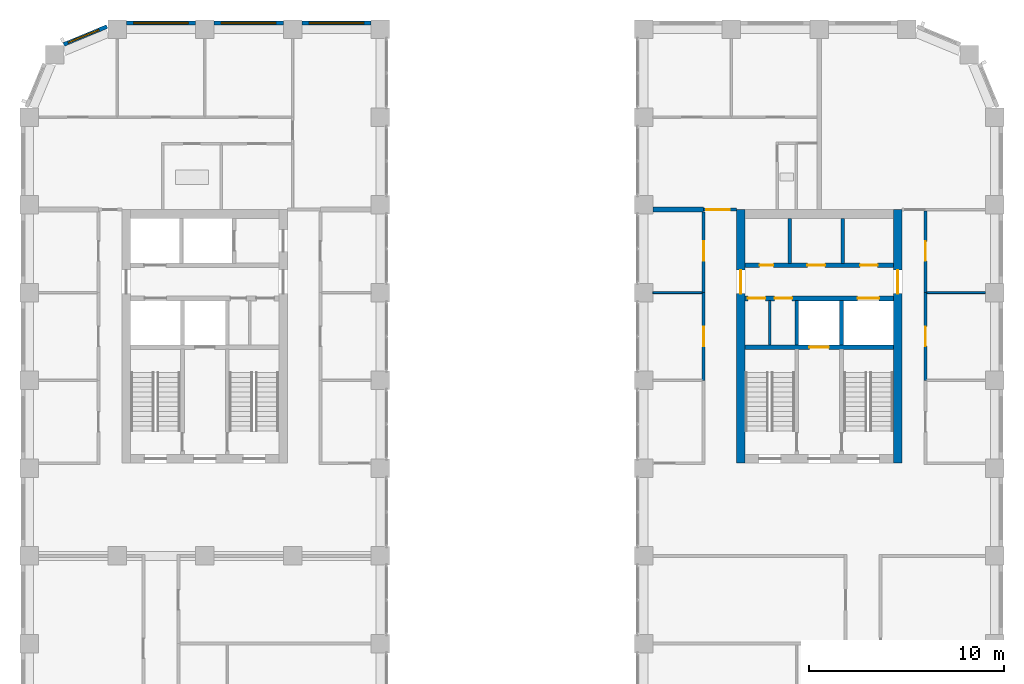
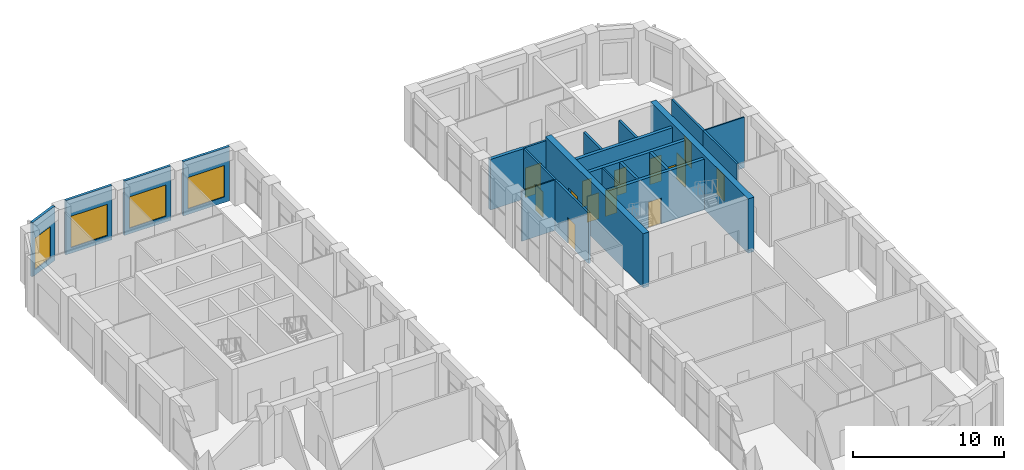
# One storey, part 14 of 19: 22 walls, 14 doors, 4 windows, 18 openings.
"""IFC4 building model written with IfcOpenShell, lengths in metres."""

from ifc_helpers import new_model, si_unit, direction, frame, frame_2d, origin, place, context, subcontext, project, spatial, rectangle, extrude, material, layer, layer_set, type_object, element, fill, save


model = new_model("IFC4")

# Units and contexts
model_context = context("Model", 3, precision=1e-05, world=origin(), true_north=direction((0.0, 1.0)))
body_context = subcontext(model_context, "Body", "Model", "MODEL_VIEW")
ifc_project = project(units=[si_unit("LENGTHUNIT", "METRE"), si_unit("AREAUNIT", "SQUARE_METRE"), si_unit("VOLUMEUNIT", "CUBIC_METRE"), si_unit("PLANEANGLEUNIT", "RADIAN"), si_unit("MASSUNIT", "GRAM", prefix="KILO")], contexts=[model_context])

# Site, building, storey
site_placement = place(None, origin())
site = spatial("IfcSite", under=ifc_project, at=site_placement, CompositionType="ELEMENT")
building_placement = place(site_placement, origin())
building = spatial("IfcBuilding", under=site, at=building_placement, Name="Girih Gate Residences", CompositionType="ELEMENT")
storey_placement = place(building_placement, frame((0.0, 0.0, 163.800048828125)))
storey = spatial("IfcBuildingStorey", under=building, at=storey_placement, Name="L45", CompositionType="ELEMENT", Elevation=163.800048828125)

# Wall
ifc_material_1 = material(Name="Gypsum board on steel studs", Category="steel")
ifc_layer_1 = layer(ifc_material_1, 0.25)
ifc_layer_set_1 = layer_set([ifc_layer_1], Name="Acoustic separating wall 250 mm")
wall_type_1 = type_object("IfcWallType", Name="Acoustic separating wall 250 mm", PredefinedType="PARTITIONING", material=ifc_layer_set_1)
wall_1_placement = place(storey_placement, frame((31.97509765625, 40.25, 0.0), z_axis=(0.0, 0.0, 1.0), x_axis=(1.0, 0.0, 0.0)))
element("IfcWall", 1, at=wall_1_placement, inside=storey, type_object=wall_type_1, Name="L45 partition", PredefinedType="PARTITIONING", context=body_context, shape_type="SweptSolid", body=[
    extrude(rectangle(XDim=2.599853515625, YDim=0.25, at=frame_2d((1.2998046875, 0.0))), origin(), (0.0, 0.0, 1.0), 4.099853515625),
])

# Wall, opening, door
ifc_layer_2 = layer(ifc_material_1, 0.14990234375)
ifc_layer_set_2 = layer_set([ifc_layer_2], Name="Compartment wall 150 mm")
wall_type_2 = type_object("IfcWallType", Name="Compartment wall 150 mm", PredefinedType="PARTITIONING", material=ifc_layer_set_2)
wall_2_placement = place(storey_placement, frame((34.574951171875, 40.25, 0.0), z_axis=(0.0, 0.0, 1.0), x_axis=(1.0, 0.0, 0.0)))
wall_2 = element("IfcWall", 2, at=wall_2_placement, inside=storey, type_object=wall_type_2, Name="L45 partition", PredefinedType="PARTITIONING", context=body_context, shape_type="SweptSolid", body=[
    extrude(rectangle(XDim=1.675048828125, YDim=0.14990234375, at=frame_2d((0.83740234375, 0.0))), origin(), (0.0, 0.0, 1.0), 4.099853515625),
])
opening_1_placement = place(wall_2_placement, frame((0.1298828125, 0.0, 0.0)))
opening_1 = element("IfcOpeningElement", 3, at=opening_1_placement, cuts=wall_2, Name="Opening A45-029", PredefinedType="OPENING", context=body_context, shape_type="SweptSolid", body=[
    extrude(rectangle(XDim=1.199951171875, YDim=2.39990234375, at=frame_2d((0.60009765625, 1.199951171875))), frame((0.0, 0.0849609375, 0.0), z_axis=(0.0, -1.0, 0.0), x_axis=(1.0, 0.0, 0.0)), (0.0, 0.0, 1.0), 0.169921875),
])
ifc_material_2 = material(Name="Timber, fire-rated core", Category="wood")
door_type_1 = type_object("IfcDoorType", Name="Villa entrance door 1200x2400 FD30S", OperationType="NOTDEFINED", PredefinedType="DOOR", material=ifc_material_2)
door_1_placement = place(opening_1_placement, origin())
door_1 = element("IfcDoor", 4, at=door_1_placement, inside=storey, type_object=door_type_1, Name="Door A45-029", OperationType="SINGLE_SWING_LEFT", OverallHeight=2.39990234375, OverallWidth=1.199951171875, PredefinedType="DOOR", context=body_context, shape_type="SweptSolid", body=[
    extrude(rectangle(XDim=1.199951171875, YDim=2.39990234375, at=frame_2d((0.60009765625, 1.199951171875))), frame((0.0, 0.02490234375, 0.0), z_axis=(0.0, -1.0, 0.0), x_axis=(1.0, 0.0, 0.0)), (0.0, 0.0, 1.0), 0.050048828125),
])
fill(opening_1, door_1)

wall_3_placement = place(storey_placement, frame((34.574951171875, 31.5, 0.0), z_axis=(0.0, 0.0, 1.0), x_axis=(0.0, 1.0, 0.0)))
wall_3 = element("IfcWall", 5, at=wall_3_placement, inside=storey, type_object=wall_type_2, Name="L45 partition", PredefinedType="PARTITIONING", context=body_context, shape_type="SweptSolid", body=[
    extrude(rectangle(XDim=4.5, YDim=0.14990234375, at=frame_2d((2.25, 0.0))), origin(), (0.0, 0.0, 1.0), 4.099853515625),
])
opening_2_placement = place(wall_3_placement, frame((1.75, 0.0, 0.0)))
opening_2 = element("IfcOpeningElement", 6, at=opening_2_placement, cuts=wall_3, Name="Opening A45-038", PredefinedType="OPENING", context=body_context, shape_type="SweptSolid", body=[
    extrude(rectangle(XDim=1.0, YDim=2.10009765625, at=frame_2d((0.5, 1.050048828125))), frame((0.0, 0.0849609375, 0.0), z_axis=(0.0, -1.0, 0.0), x_axis=(1.0, 0.0, 0.0)), (0.0, 0.0, 1.0), 0.169921875),
])
door_type_2 = type_object("IfcDoorType", Name="Amenity room door 1000x2100 FD30S", OperationType="NOTDEFINED", PredefinedType="DOOR", material=ifc_material_2)
door_2_placement = place(opening_2_placement, origin())
door_2 = element("IfcDoor", 7, at=door_2_placement, inside=storey, type_object=door_type_2, Name="Door A45-038", OperationType="SINGLE_SWING_RIGHT", OverallHeight=2.10009765625, OverallWidth=1.0, PredefinedType="DOOR", context=body_context, shape_type="SweptSolid", body=[
    extrude(rectangle(XDim=1.0, YDim=2.10009765625, at=frame_2d((0.5, 1.050048828125))), frame((0.0, 0.02490234375, 0.0), z_axis=(0.0, -1.0, 0.0), x_axis=(1.0, 0.0, 0.0)), (0.0, 0.0, 1.0), 0.050048828125),
])
fill(opening_2, door_2)

wall_4_placement = place(storey_placement, frame((34.574951171875, 36.0, 0.0), z_axis=(0.0, 0.0, 1.0), x_axis=(0.0, 1.0, 0.0)))
wall_4 = element("IfcWall", 8, at=wall_4_placement, inside=storey, type_object=wall_type_2, Name="L45 partition", PredefinedType="PARTITIONING", context=body_context, shape_type="SweptSolid", body=[
    extrude(rectangle(XDim=4.125, YDim=0.14990234375, at=frame_2d((2.0625, 0.0))), origin(), (0.0, 0.0, 1.0), 4.099853515625),
])
opening_3_placement = place(wall_4_placement, frame((1.625, 0.0, 0.0)))
opening_3 = element("IfcOpeningElement", 9, at=opening_3_placement, cuts=wall_4, Name="Opening A45-039", PredefinedType="OPENING", context=body_context, shape_type="SweptSolid", body=[
    extrude(rectangle(XDim=1.0, YDim=2.10009765625, at=frame_2d((0.5, 1.050048828125))), frame((0.0, 0.0849609375, 0.0), z_axis=(0.0, -1.0, 0.0), x_axis=(1.0, 0.0, 0.0)), (0.0, 0.0, 1.0), 0.169921875),
])
door_3_placement = place(opening_3_placement, origin())
door_3 = element("IfcDoor", 10, at=door_3_placement, inside=storey, type_object=door_type_2, Name="Door A45-039", OperationType="SINGLE_SWING_RIGHT", OverallHeight=2.10009765625, OverallWidth=1.0, PredefinedType="DOOR", context=body_context, shape_type="SweptSolid", body=[
    extrude(rectangle(XDim=1.0, YDim=2.10009765625, at=frame_2d((0.5, 1.050048828125))), frame((0.0, 0.02490234375, 0.0), z_axis=(0.0, -1.0, 0.0), x_axis=(1.0, 0.0, 0.0)), (0.0, 0.0, 1.0), 0.050048828125),
])
fill(opening_3, door_3)

wall_5_placement = place(storey_placement, frame((45.949951171875, 36.0, 0.0), z_axis=(0.0, 0.0, 1.0), x_axis=(0.0, -1.0, 0.0)))
wall_5 = element("IfcWall", 11, at=wall_5_placement, inside=storey, type_object=wall_type_2, Name="L45 partition", PredefinedType="PARTITIONING", context=body_context, shape_type="SweptSolid", body=[
    extrude(rectangle(XDim=4.5, YDim=0.14990234375, at=frame_2d((2.25, 0.0))), origin(), (0.0, 0.0, 1.0), 4.099853515625),
])
opening_4_placement = place(wall_5_placement, frame((1.75, 0.0, 0.0)))
opening_4 = element("IfcOpeningElement", 12, at=opening_4_placement, cuts=wall_5, Name="Opening A45-041", PredefinedType="OPENING", context=body_context, shape_type="SweptSolid", body=[
    extrude(rectangle(XDim=1.0, YDim=2.10009765625, at=frame_2d((0.5, 1.050048828125))), frame((0.0, 0.0849609375, 0.0), z_axis=(0.0, -1.0, 0.0), x_axis=(1.0, 0.0, 0.0)), (0.0, 0.0, 1.0), 0.169921875),
])
door_4_placement = place(opening_4_placement, origin())
door_4 = element("IfcDoor", 13, at=door_4_placement, inside=storey, type_object=door_type_2, Name="Door A45-041", OperationType="SINGLE_SWING_RIGHT", OverallHeight=2.10009765625, OverallWidth=1.0, PredefinedType="DOOR", context=body_context, shape_type="SweptSolid", body=[
    extrude(rectangle(XDim=1.0, YDim=2.10009765625, at=frame_2d((0.5, 1.050048828125))), frame((0.0, 0.02490234375, 0.0), z_axis=(0.0, -1.0, 0.0), x_axis=(1.0, 0.0, 0.0)), (0.0, 0.0, 1.0), 0.050048828125),
])
fill(opening_4, door_4)

wall_6_placement = place(storey_placement, frame((45.949951171875, 40.175048828125, 0.0), z_axis=(0.0, 0.0, 1.0), x_axis=(0.0, -1.0, 0.0)))
wall_6 = element("IfcWall", 14, at=wall_6_placement, inside=storey, type_object=wall_type_2, Name="L45 partition", PredefinedType="PARTITIONING", context=body_context, shape_type="SweptSolid", body=[
    extrude(rectangle(XDim=4.175048828125, YDim=0.14990234375, at=frame_2d((2.08740234375, 0.0))), origin(), (0.0, 0.0, 1.0), 4.099853515625),
])
opening_5_placement = place(wall_6_placement, frame((1.550048828125, 0.0, 0.0)))
opening_5 = element("IfcOpeningElement", 15, at=opening_5_placement, cuts=wall_6, Name="Opening A45-042", PredefinedType="OPENING", context=body_context, shape_type="SweptSolid", body=[
    extrude(rectangle(XDim=1.0, YDim=2.10009765625, at=frame_2d((0.5, 1.050048828125))), frame((0.0, 0.0849609375, 0.0), z_axis=(0.0, -1.0, 0.0), x_axis=(1.0, 0.0, 0.0)), (0.0, 0.0, 1.0), 0.169921875),
])
door_5_placement = place(opening_5_placement, origin())
door_5 = element("IfcDoor", 16, at=door_5_placement, inside=storey, type_object=door_type_2, Name="Door A45-042", OperationType="SINGLE_SWING_LEFT", OverallHeight=2.10009765625, OverallWidth=1.0, PredefinedType="DOOR", context=body_context, shape_type="SweptSolid", body=[
    extrude(rectangle(XDim=1.0, YDim=2.10009765625, at=frame_2d((0.5, 1.050048828125))), frame((0.0, 0.02490234375, 0.0), z_axis=(0.0, -1.0, 0.0), x_axis=(1.0, 0.0, 0.0)), (0.0, 0.0, 1.0), 0.050048828125),
])
fill(opening_5, door_5)

ifc_material_3 = material(Name="Concrete C60/75", Category="concrete")
ifc_layer_3 = layer(ifc_material_3, 0.449951171875)
ifc_layer_set_3 = layer_set([ifc_layer_3], Name="Core wall RC 450 Concrete C60/75")
wall_type_3 = type_object("IfcWallType", Name="Core wall RC 450 Concrete C60/75", PredefinedType="SOLIDWALL", material=ifc_layer_set_3)
wall_7_placement = place(storey_placement, frame((36.47509765625, 27.25, 0.0), z_axis=(0.0, 0.0, 1.0), x_axis=(0.0, 1.0, 0.0)))
wall_7 = element("IfcWall", 17, at=wall_7_placement, inside=storey, type_object=wall_type_3, Name="Core wall E-W L45", PredefinedType="SOLIDWALL", context=body_context, shape_type="SweptSolid", body=[
    extrude(rectangle(XDim=13.0, YDim=0.449951171875, at=frame_2d((6.5, 0.0))), origin(), (0.0, 0.0, 1.0), 4.39990234375),
])
opening_6_placement = place(wall_7_placement, frame((8.699951171875, 0.0, 0.0)))
opening_6 = element("IfcOpeningElement", 18, at=opening_6_placement, cuts=wall_7, Name="Opening D-L45-E-013", PredefinedType="OPENING", context=body_context, shape_type="SweptSolid", body=[
    extrude(rectangle(XDim=1.199951171875, YDim=2.10009765625, at=frame_2d((0.60009765625, 1.050048828125))), frame((0.0, 0.23486328125, 0.0), z_axis=(0.0, -1.0, 0.0), x_axis=(1.0, 0.0, 0.0)), (0.0, 0.0, 1.0), 0.469970703125),
])
ifc_material_4 = material(Name="Painted steel, fire-resisting", Category="steel")
door_type_3 = type_object("IfcDoorType", Name="Fire door 1200x2100", OperationType="SINGLE_SWING_LEFT", PredefinedType="DOOR", material=ifc_material_4)
door_6_placement = place(opening_6_placement, origin())
door_6 = element("IfcDoor", 19, at=door_6_placement, inside=storey, type_object=door_type_3, Name="L45 E core door ll-w", OperationType="SINGLE_SWING_LEFT", OverallHeight=2.10009765625, OverallWidth=1.199951171875, PredefinedType="DOOR", context=body_context, shape_type="SweptSolid", body=[
    extrude(rectangle(XDim=1.199951171875, YDim=2.10009765625, at=frame_2d((0.60009765625, 1.050048828125))), frame((0.0, 0.02490234375, 0.0), z_axis=(0.0, -1.0, 0.0), x_axis=(1.0, 0.0, 0.0)), (0.0, 0.0, 1.0), 0.050048828125),
])
fill(opening_6, door_6)

wall_8_placement = place(storey_placement, frame((44.52490234375, 27.25, 0.0), z_axis=(0.0, 0.0, 1.0), x_axis=(0.0, 1.0, 0.0)))
wall_8 = element("IfcWall", 20, at=wall_8_placement, inside=storey, type_object=wall_type_3, Name="Core wall E-E L45", PredefinedType="SOLIDWALL", context=body_context, shape_type="SweptSolid", body=[
    extrude(rectangle(XDim=13.0, YDim=0.449951171875, at=frame_2d((6.5, 0.0))), origin(), (0.0, 0.0, 1.0), 4.39990234375),
])
opening_7_placement = place(wall_8_placement, frame((8.699951171875, 0.0, 0.0)))
opening_7 = element("IfcOpeningElement", 21, at=opening_7_placement, cuts=wall_8, Name="Opening D-L45-E-014", PredefinedType="OPENING", context=body_context, shape_type="SweptSolid", body=[
    extrude(rectangle(XDim=1.199951171875, YDim=2.10009765625, at=frame_2d((0.60009765625, 1.050048828125))), frame((0.0, 0.23486328125, 0.0), z_axis=(0.0, -1.0, 0.0), x_axis=(1.0, 0.0, 0.0)), (0.0, 0.0, 1.0), 0.469970703125),
])
door_7_placement = place(opening_7_placement, origin())
door_7 = element("IfcDoor", 22, at=door_7_placement, inside=storey, type_object=door_type_3, Name="L45 E core door ll-e", OperationType="SINGLE_SWING_LEFT", OverallHeight=2.10009765625, OverallWidth=1.199951171875, PredefinedType="DOOR", context=body_context, shape_type="SweptSolid", body=[
    extrude(rectangle(XDim=1.199951171875, YDim=2.10009765625, at=frame_2d((0.60009765625, 1.050048828125))), frame((0.0, 0.02490234375, 0.0), z_axis=(0.0, -1.0, 0.0), x_axis=(1.0, 0.0, 0.0)), (0.0, 0.0, 1.0), 0.050048828125),
])
fill(opening_7, door_7)

ifc_material_5 = material(Name="Concrete C40/50", Category="concrete")
ifc_layer_4 = layer(ifc_material_5, 0.25)
ifc_layer_set_4 = layer_set([ifc_layer_4], Name="Lift shaft wall 250")
wall_type_4 = type_object("IfcWallType", Name="Lift shaft wall 250", PredefinedType="SOLIDWALL", material=ifc_layer_set_4)
wall_9_placement = place(storey_placement, frame((36.699951171875, 33.199951171875, 0.0), z_axis=(0.0, 0.0, 1.0), x_axis=(1.0, 0.0, 0.0)))
wall_9 = element("IfcWall", 23, at=wall_9_placement, inside=storey, type_object=wall_type_4, Name="L45 E core wall H1", PredefinedType="SOLIDWALL", context=body_context, shape_type="SweptSolid", body=[
    extrude(rectangle(XDim=7.60009765625, YDim=0.25, at=frame_2d((3.800048828125, 0.0))), origin(), (0.0, 0.0, 1.0), 4.099853515625),
])
opening_8_placement = place(wall_9_placement, frame((3.300048828125, 0.0, 0.0)))
opening_8 = element("IfcOpeningElement", 24, at=opening_8_placement, cuts=wall_9, Name="Opening D-L45-E-004", PredefinedType="OPENING", context=body_context, shape_type="SweptSolid", body=[
    extrude(rectangle(XDim=1.0, YDim=2.10009765625, at=frame_2d((0.5, 1.050048828125))), frame((0.0, 0.135009765625, 0.0), z_axis=(0.0, -1.0, 0.0), x_axis=(1.0, 0.0, 0.0)), (0.0, 0.0, 1.0), 0.27001953125),
])
ifc_material_6 = material(Name="Stainless steel, fire-resisting", Category="steel")
door_type_4 = type_object("IfcDoorType", Name="Firefighting lift landing door 1000x2100", OperationType="SLIDING_TO_LEFT", PredefinedType="DOOR", material=ifc_material_6)
door_8_placement = place(opening_8_placement, origin())
door_8 = element("IfcDoor", 25, at=door_8_placement, inside=storey, type_object=door_type_4, Name="L45 lift FF-E landing door", OperationType="SLIDING_TO_LEFT", OverallHeight=2.10009765625, OverallWidth=1.0, PredefinedType="DOOR", context=body_context, shape_type="SweptSolid", body=[
    extrude(rectangle(XDim=1.0, YDim=2.10009765625, at=frame_2d((0.5, 1.050048828125))), frame((0.0, 0.02490234375, 0.0), z_axis=(0.0, -1.0, 0.0), x_axis=(1.0, 0.0, 0.0)), (0.0, 0.0, 1.0), 0.050048828125),
])
fill(opening_8, door_8)

# Wall, openings, doors
wall_10_placement = place(storey_placement, frame((36.699951171875, 35.699951171875, 0.0), z_axis=(0.0, 0.0, 1.0), x_axis=(1.0, 0.0, 0.0)))
wall_10 = element("IfcWall", 26, at=wall_10_placement, inside=storey, type_object=wall_type_4, Name="L45 E core wall H2", PredefinedType="SOLIDWALL", context=body_context, shape_type="SweptSolid", body=[
    extrude(rectangle(XDim=7.60009765625, YDim=0.25, at=frame_2d((3.800048828125, 0.0))), origin(), (0.0, 0.0, 1.0), 4.099853515625),
])
opening_9_placement = place(wall_10_placement, frame((5.77490234375, 0.0, 0.0)))
opening_9 = element("IfcOpeningElement", 27, at=opening_9_placement, cuts=wall_10, Name="Opening D-L45-E-003", PredefinedType="OPENING", context=body_context, shape_type="SweptSolid", body=[
    extrude(rectangle(XDim=1.10009765625, YDim=2.39990234375, at=frame_2d((0.550048828125, 1.199951171875))), frame((0.0, 0.135009765625, 0.0), z_axis=(0.0, -1.0, 0.0), x_axis=(1.0, 0.0, 0.0)), (0.0, 0.0, 1.0), 0.27001953125),
])
opening_10_placement = place(wall_10_placement, frame((1.512451171875, 0.0, 0.0)))
opening_10 = element("IfcOpeningElement", 28, at=opening_10_placement, cuts=wall_10, Name="Opening D-L45-E-006", PredefinedType="OPENING", context=body_context, shape_type="SweptSolid", body=[
    extrude(rectangle(XDim=0.89990234375, YDim=2.10009765625, at=frame_2d((0.449951171875, 1.050048828125))), frame((0.0, 0.135009765625, 0.0), z_axis=(0.0, -1.0, 0.0), x_axis=(1.0, 0.0, 0.0)), (0.0, 0.0, 1.0), 0.27001953125),
])
opening_11_placement = place(wall_10_placement, frame((0.137451171875, 0.0, 0.0)))
opening_11 = element("IfcOpeningElement", 29, at=opening_11_placement, cuts=wall_10, Name="Opening D-L45-E-007", PredefinedType="OPENING", context=body_context, shape_type="SweptSolid", body=[
    extrude(rectangle(XDim=0.89990234375, YDim=2.10009765625, at=frame_2d((0.449951171875, 1.050048828125))), frame((0.0, 0.135009765625, 0.0), z_axis=(0.0, -1.0, 0.0), x_axis=(1.0, 0.0, 0.0)), (0.0, 0.0, 1.0), 0.27001953125),
])
door_type_5 = type_object("IfcDoorType", Name="Fire door 900x2100", OperationType="SINGLE_SWING_LEFT", PredefinedType="DOOR", material=ifc_material_4)
door_9_placement = place(opening_10_placement, origin())
door_9 = element("IfcDoor", 30, at=door_9_placement, inside=storey, type_object=door_type_5, Name="L45 E refuse store door", OperationType="SINGLE_SWING_LEFT", OverallHeight=2.10009765625, OverallWidth=0.89990234375, PredefinedType="DOOR", context=body_context, shape_type="SweptSolid", body=[
    extrude(rectangle(XDim=0.89990234375, YDim=2.10009765625, at=frame_2d((0.449951171875, 1.050048828125))), frame((0.0, 0.02490234375, 0.0), z_axis=(0.0, -1.0, 0.0), x_axis=(1.0, 0.0, 0.0)), (0.0, 0.0, 1.0), 0.050048828125),
])
fill(opening_10, door_9)
door_10_placement = place(opening_11_placement, origin())
door_10 = element("IfcDoor", 31, at=door_10_placement, inside=storey, type_object=door_type_5, Name="L45 E cleaners store door", OperationType="SINGLE_SWING_LEFT", OverallHeight=2.10009765625, OverallWidth=0.89990234375, PredefinedType="DOOR", context=body_context, shape_type="SweptSolid", body=[
    extrude(rectangle(XDim=0.89990234375, YDim=2.10009765625, at=frame_2d((0.449951171875, 1.050048828125))), frame((0.0, 0.02490234375, 0.0), z_axis=(0.0, -1.0, 0.0), x_axis=(1.0, 0.0, 0.0)), (0.0, 0.0, 1.0), 0.050048828125),
])
fill(opening_11, door_10)
ifc_material_7 = material(Name="Stainless steel", Category="steel")
door_type_6 = type_object("IfcDoorType", Name="Lift landing door 1100x2400", OperationType="SLIDING_TO_LEFT", PredefinedType="DOOR", material=ifc_material_7)
door_11_placement = place(opening_9_placement, origin())
door_11 = element("IfcDoor", 32, at=door_11_placement, inside=storey, type_object=door_type_6, Name="L45 lift HR-E1 landing door", OperationType="SLIDING_TO_LEFT", OverallHeight=2.39990234375, OverallWidth=1.10009765625, PredefinedType="DOOR", context=body_context, shape_type="SweptSolid", body=[
    extrude(rectangle(XDim=1.10009765625, YDim=2.39990234375, at=frame_2d((0.550048828125, 1.199951171875))), frame((0.0, 0.02490234375, 0.0), z_axis=(0.0, -1.0, 0.0), x_axis=(1.0, 0.0, 0.0)), (0.0, 0.0, 1.0), 0.050048828125),
])
fill(opening_9, door_11)

wall_11_placement = place(storey_placement, frame((36.699951171875, 37.39990234375, 0.0), z_axis=(0.0, 0.0, 1.0), x_axis=(1.0, 0.0, 0.0)))
wall_11 = element("IfcWall", 33, at=wall_11_placement, inside=storey, type_object=wall_type_4, Name="L45 E core wall H3", PredefinedType="SOLIDWALL", context=body_context, shape_type="SweptSolid", body=[
    extrude(rectangle(XDim=7.60009765625, YDim=0.25, at=frame_2d((3.800048828125, 0.0))), origin(), (0.0, 0.0, 1.0), 4.099853515625),
])
opening_12_placement = place(wall_11_placement, frame((0.75, 0.0, 0.0)))
opening_12 = element("IfcOpeningElement", 34, at=opening_12_placement, cuts=wall_11, Name="Opening D-L45-E-005", PredefinedType="OPENING", context=body_context, shape_type="SweptSolid", body=[
    extrude(rectangle(XDim=0.699951171875, YDim=2.10009765625, at=frame_2d((0.35009765625, 1.050048828125))), frame((0.0, 0.135009765625, 0.0), z_axis=(0.0, -1.0, 0.0), x_axis=(1.0, 0.0, 0.0)), (0.0, 0.0, 1.0), 0.27001953125),
])
opening_13_placement = place(wall_11_placement, frame((5.89990234375, 0.0, 0.0)))
opening_13 = element("IfcOpeningElement", 35, at=opening_13_placement, cuts=wall_11, Name="Opening D-L45-E-008", PredefinedType="OPENING", context=body_context, shape_type="SweptSolid", body=[
    extrude(rectangle(XDim=0.89990234375, YDim=2.10009765625, at=frame_2d((0.449951171875, 1.050048828125))), frame((0.0, 0.135009765625, 0.0), z_axis=(0.0, -1.0, 0.0), x_axis=(1.0, 0.0, 0.0)), (0.0, 0.0, 1.0), 0.27001953125),
])
opening_14_placement = place(wall_11_placement, frame((3.199951171875, 0.0, 0.0)))
opening_14 = element("IfcOpeningElement", 36, at=opening_14_placement, cuts=wall_11, Name="Opening D-L45-E-009", PredefinedType="OPENING", context=body_context, shape_type="SweptSolid", body=[
    extrude(rectangle(XDim=0.89990234375, YDim=2.10009765625, at=frame_2d((0.449951171875, 1.050048828125))), frame((0.0, 0.135009765625, 0.0), z_axis=(0.0, -1.0, 0.0), x_axis=(1.0, 0.0, 0.0)), (0.0, 0.0, 1.0), 0.27001953125),
])
door_12_placement = place(opening_13_placement, origin())
door_12 = element("IfcDoor", 37, at=door_12_placement, inside=storey, type_object=door_type_5, Name="L45 E maintenance store door", OperationType="SINGLE_SWING_LEFT", OverallHeight=2.10009765625, OverallWidth=0.89990234375, PredefinedType="DOOR", context=body_context, shape_type="SweptSolid", body=[
    extrude(rectangle(XDim=0.89990234375, YDim=2.10009765625, at=frame_2d((0.449951171875, 1.050048828125))), frame((0.0, 0.02490234375, 0.0), z_axis=(0.0, -1.0, 0.0), x_axis=(1.0, 0.0, 0.0)), (0.0, 0.0, 1.0), 0.050048828125),
])
fill(opening_13, door_12)
door_13_placement = place(opening_14_placement, origin())
door_13 = element("IfcDoor", 38, at=door_13_placement, inside=storey, type_object=door_type_5, Name="L45 E linen store door", OperationType="SINGLE_SWING_LEFT", OverallHeight=2.10009765625, OverallWidth=0.89990234375, PredefinedType="DOOR", context=body_context, shape_type="SweptSolid", body=[
    extrude(rectangle(XDim=0.89990234375, YDim=2.10009765625, at=frame_2d((0.449951171875, 1.050048828125))), frame((0.0, 0.02490234375, 0.0), z_axis=(0.0, -1.0, 0.0), x_axis=(1.0, 0.0, 0.0)), (0.0, 0.0, 1.0), 0.050048828125),
])
fill(opening_14, door_13)
door_type_7 = type_object("IfcDoorType", Name="Riser access door 700x2100", OperationType="SINGLE_SWING_LEFT", PredefinedType="DOOR", material=ifc_material_4)
door_14_placement = place(opening_12_placement, origin())
door_14 = element("IfcDoor", 39, at=door_14_placement, inside=storey, type_object=door_type_7, Name="L45 E riser room door", OperationType="SINGLE_SWING_LEFT", OverallHeight=2.10009765625, OverallWidth=0.699951171875, PredefinedType="DOOR", context=body_context, shape_type="SweptSolid", body=[
    extrude(rectangle(XDim=0.699951171875, YDim=2.10009765625, at=frame_2d((0.35009765625, 1.050048828125))), frame((0.0, 0.02490234375, 0.0), z_axis=(0.0, -1.0, 0.0), x_axis=(1.0, 0.0, 0.0)), (0.0, 0.0, 1.0), 0.050048828125),
])
fill(opening_12, door_14)

# Walls
ifc_layer_5 = layer(ifc_material_1, 0.10009765625)
ifc_layer_set_5 = layer_set([ifc_layer_5], Name="Partition 100 mm")
wall_type_5 = type_object("IfcWallType", Name="Partition 100 mm", PredefinedType="PARTITIONING", material=ifc_layer_set_5)
wall_12_placement = place(storey_placement, frame((31.97509765625, 36.0, 0.0), z_axis=(0.0, 0.0, 1.0), x_axis=(1.0, 0.0, 0.0)))
element("IfcWall", 40, at=wall_12_placement, inside=storey, type_object=wall_type_5, Name="L45 partition", PredefinedType="PARTITIONING", context=body_context, shape_type="SweptSolid", body=[
    extrude(rectangle(XDim=2.52490234375, YDim=0.10009765625, at=frame_2d((1.262451171875, 0.0))), origin(), (0.0, 0.0, 1.0), 4.099853515625),
])
wall_13_placement = place(storey_placement, frame((46.02490234375, 36.0, 0.0), z_axis=(0.0, 0.0, 1.0), x_axis=(1.0, 0.0, 0.0)))
element("IfcWall", 41, at=wall_13_placement, inside=storey, type_object=wall_type_5, Name="L45 partition", PredefinedType="PARTITIONING", context=body_context, shape_type="SweptSolid", body=[
    extrude(rectangle(XDim=3.0, YDim=0.10009765625, at=frame_2d((1.5, 0.0))), origin(), (0.0, 0.0, 1.0), 4.099853515625),
])

# Wall, opening, window
ifc_material_8 = material(Name="Precast concrete C50/60", Category="concrete")
ifc_layer_6 = layer(ifc_material_8, 0.06005859375, Name="Outer leaf")
ifc_material_9 = material(Name="Rigid PIR insulation")
ifc_layer_7 = layer(ifc_material_9, 0.090087890625, Name="Insulation")
ifc_material_10 = material(Name="Precast concrete C40/50", Category="concrete")
ifc_layer_8 = layer(ifc_material_10, 0.050048828125, Name="Inner leaf")
ifc_layer_set_6 = layer_set([ifc_layer_6, ifc_layer_7, ifc_layer_8], Name="Precast concrete C50/60 external wall 200")
wall_type_6 = type_object("IfcWallType", Name="Precast concrete C50/60 external wall 200", PredefinedType="SOLIDWALL", material=ifc_layer_set_6)
wall_14_placement = place(storey_placement, frame((13.97509765625, 49.824951171875, 0.0), z_axis=(0.0, 0.0, 1.0), x_axis=(1.0, 0.0, 0.0)))
wall_14 = element("IfcWall", 42, at=wall_14_placement, inside=storey, type_object=wall_type_6, Name="External wall N0180_0495.0", PredefinedType="SOLIDWALL", context=body_context, shape_type="SweptSolid", body=[
    extrude(rectangle(XDim=3.5498046875, YDim=0.199951171875, at=frame_2d((1.77490234375, 0.0))), origin(), (0.0, 0.0, 1.0), 4.39990234375),
])
opening_15_placement = place(wall_14_placement, frame((0.375, 0.0, 0.449951171875)))
opening_15 = element("IfcOpeningElement", 43, at=opening_15_placement, cuts=wall_14, Name="Opening W-6A", PredefinedType="OPENING", context=body_context, shape_type="SweptSolid", body=[
    extrude(rectangle(XDim=2.800048828125, YDim=2.550048828125, at=frame_2d((1.39990234375, 1.27490234375))), frame((0.0, 0.10986328125, 0.0), z_axis=(0.0, -1.0, 0.0), x_axis=(1.0, 0.0, 0.0)), (0.0, 0.0, 1.0), 0.219970703125),
])
ifc_material_11 = material(Name="Double glazing in aluminium frame", Category="aluminium")
window_type_1 = type_object("IfcWindowType", Name="Window W-6A 2800x2550", PartitioningType="SINGLE_PANEL", PredefinedType="WINDOW", material=ifc_material_11)
window_1_placement = place(opening_15_placement, origin())
window_1 = element("IfcWindow", 44, at=window_1_placement, inside=storey, type_object=window_type_1, Name="Window W-6A N0180_0495.0", OverallHeight=2.550048828125, OverallWidth=2.800048828125, PartitioningType="SINGLE_PANEL", PredefinedType="WINDOW", context=body_context, shape_type="SweptSolid", body=[
    extrude(rectangle(XDim=2.800048828125, YDim=2.550048828125, at=frame_2d((1.39990234375, 1.27490234375))), frame((0.0, 0.030029296875, 0.0), z_axis=(0.0, -1.0, 0.0), x_axis=(1.0, 0.0, 0.0)), (0.0, 0.0, 1.0), 0.06005859375),
])
fill(opening_15, window_1)

wall_15_placement = place(storey_placement, frame((9.47509765625, 49.824951171875, 0.0), z_axis=(0.0, 0.0, 1.0), x_axis=(1.0, 0.0, 0.0)))
wall_15 = element("IfcWall", 45, at=wall_15_placement, inside=storey, type_object=wall_type_6, Name="External wall N0180_0495.1", PredefinedType="SOLIDWALL", context=body_context, shape_type="SweptSolid", body=[
    extrude(rectangle(XDim=3.5498046875, YDim=0.199951171875, at=frame_2d((1.77490234375, 0.0))), origin(), (0.0, 0.0, 1.0), 4.39990234375),
])
opening_16_placement = place(wall_15_placement, frame((0.375, 0.0, 0.449951171875)))
opening_16 = element("IfcOpeningElement", 46, at=opening_16_placement, cuts=wall_15, Name="Opening W-6A", PredefinedType="OPENING", context=body_context, shape_type="SweptSolid", body=[
    extrude(rectangle(XDim=2.800048828125, YDim=2.550048828125, at=frame_2d((1.39990234375, 1.27490234375))), frame((0.0, 0.10986328125, 0.0), z_axis=(0.0, -1.0, 0.0), x_axis=(1.0, 0.0, 0.0)), (0.0, 0.0, 1.0), 0.219970703125),
])
window_2_placement = place(opening_16_placement, origin())
window_2 = element("IfcWindow", 47, at=window_2_placement, inside=storey, type_object=window_type_1, Name="Window W-6A N0180_0495.1", OverallHeight=2.550048828125, OverallWidth=2.800048828125, PartitioningType="SINGLE_PANEL", PredefinedType="WINDOW", context=body_context, shape_type="SweptSolid", body=[
    extrude(rectangle(XDim=2.800048828125, YDim=2.550048828125, at=frame_2d((1.39990234375, 1.27490234375))), frame((0.0, 0.030029296875, 0.0), z_axis=(0.0, -1.0, 0.0), x_axis=(1.0, 0.0, 0.0)), (0.0, 0.0, 1.0), 0.06005859375),
])
fill(opening_16, window_2)

wall_16_placement = place(storey_placement, frame((4.97509765625, 49.824951171875, 0.0), z_axis=(0.0, 0.0, 1.0), x_axis=(1.0, 0.0, 0.0)))
wall_16 = element("IfcWall", 48, at=wall_16_placement, inside=storey, type_object=wall_type_6, Name="External wall N0180_0495.2", PredefinedType="SOLIDWALL", context=body_context, shape_type="SweptSolid", body=[
    extrude(rectangle(XDim=3.5498046875, YDim=0.199951171875, at=frame_2d((1.77490234375, 0.0))), origin(), (0.0, 0.0, 1.0), 4.39990234375),
])
opening_17_placement = place(wall_16_placement, frame((0.375, 0.0, 0.449951171875)))
opening_17 = element("IfcOpeningElement", 49, at=opening_17_placement, cuts=wall_16, Name="Opening W-6A", PredefinedType="OPENING", context=body_context, shape_type="SweptSolid", body=[
    extrude(rectangle(XDim=2.800048828125, YDim=2.550048828125, at=frame_2d((1.39990234375, 1.27490234375))), frame((0.0, 0.10986328125, 0.0), z_axis=(0.0, -1.0, 0.0), x_axis=(1.0, 0.0, 0.0)), (0.0, 0.0, 1.0), 0.219970703125),
])
window_3_placement = place(opening_17_placement, origin())
window_3 = element("IfcWindow", 50, at=window_3_placement, inside=storey, type_object=window_type_1, Name="Window W-6A N0180_0495.2", OverallHeight=2.550048828125, OverallWidth=2.800048828125, PartitioningType="SINGLE_PANEL", PredefinedType="WINDOW", context=body_context, shape_type="SweptSolid", body=[
    extrude(rectangle(XDim=2.800048828125, YDim=2.550048828125, at=frame_2d((1.39990234375, 1.27490234375))), frame((0.0, 0.030029296875, 0.0), z_axis=(0.0, -1.0, 0.0), x_axis=(1.0, 0.0, 0.0)), (0.0, 0.0, 1.0), 0.06005859375),
])
fill(opening_17, window_3)

wall_17_placement = place(storey_placement, frame((1.76708984375, 48.7197265625, 0.0), z_axis=(0.0, 0.0, 1.0), x_axis=(0.923880599843, 0.382680855588, 0.0)))
wall_17 = element("IfcWall", 51, at=wall_17_placement, inside=storey, type_object=wall_type_6, Name="External wall NW0045_0495.0", PredefinedType="SOLIDWALL", context=body_context, shape_type="SweptSolid", body=[
    extrude(rectangle(XDim=2.402587890625, YDim=0.199951171875, at=frame_2d((1.201171875, 0.0))), origin(), (0.0, 0.0, 1.0), 4.39990234375),
])
opening_18_placement = place(wall_17_placement, frame((0.25146484375, 0.0, 0.449951171875)))
opening_18 = element("IfcOpeningElement", 52, at=opening_18_placement, cuts=wall_17, Name="Opening W-2F", PredefinedType="OPENING", context=body_context, shape_type="SweptSolid", body=[
    extrude(rectangle(XDim=1.699951171875, YDim=2.550048828125, at=frame_2d((0.85009765625, 1.27490234375))), frame((0.0, 0.10986328125, 0.0), z_axis=(0.0, -1.0, 0.0), x_axis=(1.0, 0.0, 0.0)), (0.0, 0.0, 1.0), 0.219970703125),
])
window_type_2 = type_object("IfcWindowType", Name="Window W-2F 1700x2550", PartitioningType="SINGLE_PANEL", PredefinedType="WINDOW", material=ifc_material_11)
window_4_placement = place(opening_18_placement, origin())
window_4 = element("IfcWindow", 53, at=window_4_placement, inside=storey, type_object=window_type_2, Name="Window W-2F NW0045_0495.0", OverallHeight=2.550048828125, OverallWidth=1.699951171875, PartitioningType="SINGLE_PANEL", PredefinedType="WINDOW", context=body_context, shape_type="SweptSolid", body=[
    extrude(rectangle(XDim=1.699951171875, YDim=2.550048828125, at=frame_2d((0.85009765625, 1.27490234375))), frame((0.0, 0.030029296875, 0.0), z_axis=(0.0, -1.0, 0.0), x_axis=(1.0, 0.0, 0.0)), (0.0, 0.0, 1.0), 0.06005859375),
])
fill(opening_18, window_4)

# Walls
ifc_layer_9 = layer(ifc_material_5, 0.175048828125)
ifc_layer_set_7 = layer_set([ifc_layer_9], Name="Riser shaft wall 175")
wall_type_7 = type_object("IfcWallType", Name="Riser shaft wall 175", PredefinedType="SOLIDWALL", material=ifc_layer_set_7)
for number, where, z_axis, x_axis, name in (
    (54, (41.699951171875, 37.5, 0.0), (0.0, 0.0, 1.0), (0.0, 1.0, 0.0), "L45 E core wall V1c"),
    (55, (39.0, 37.5, 0.0), (0.0, 0.0, 1.0), (0.0, 1.0, 0.0), "L45 E core wall V2c"),
):
    element("IfcWall", number, at=place(storey_placement, frame(where, z_axis=z_axis, x_axis=x_axis)), inside=storey, type_object=wall_type_7, Name=name, PredefinedType="SOLIDWALL", context=body_context, shape_type="SweptSolid", body=[
        extrude(rectangle(XDim=2.300048828125, YDim=0.175048828125, at=frame_2d((1.14990234375, 0.0))), origin(), (0.0, 0.0, 1.0), 4.099853515625),
    ])
ifc_layer_10 = layer(ifc_material_5, 0.199951171875)
ifc_layer_set_8 = layer_set([ifc_layer_10], Name="Shaft wall 200")
wall_type_8 = type_object("IfcWallType", Name="Shaft wall 200", PredefinedType="SOLIDWALL", material=ifc_layer_set_8)
for number, where, z_axis, x_axis, name in (
    (56, (41.64990234375, 33.300048828125, 0.0), (0.0, 0.0, 1.0), (0.0, 1.0, 0.0), "L45 E core wall V1b"),
    (57, (39.35009765625, 33.300048828125, 0.0), (0.0, 0.0, 1.0), (0.0, 1.0, 0.0), "L45 E core wall V2b"),
):
    element("IfcWall", number, at=place(storey_placement, frame(where, z_axis=z_axis, x_axis=x_axis)), inside=storey, type_object=wall_type_8, Name=name, PredefinedType="SOLIDWALL", context=body_context, shape_type="SweptSolid", body=[
        extrude(rectangle(XDim=2.300048828125, YDim=0.199951171875, at=frame_2d((1.14990234375, 0.0))), origin(), (0.0, 0.0, 1.0), 4.099853515625),
    ])
ifc_material_12 = material(Name="Calcium silicate blockwork", Category="masonry")
ifc_layer_11 = layer(ifc_material_12, 0.125)
ifc_layer_set_9 = layer_set([ifc_layer_11], Name="Store partition 125")
wall_type_9 = type_object("IfcWallType", Name="Store partition 125", PredefinedType="PARTITIONING", material=ifc_layer_set_9)
wall_18_placement = place(storey_placement, frame((37.97509765625, 33.300048828125, 0.0), z_axis=(0.0, 0.0, 1.0), x_axis=(0.0, 1.0, 0.0)))
element("IfcWall", 58, at=wall_18_placement, inside=storey, type_object=wall_type_9, Name="L45 E core wall SHR2", PredefinedType="PARTITIONING", context=body_context, shape_type="SweptSolid", body=[
    extrude(rectangle(XDim=2.300048828125, YDim=0.125, at=frame_2d((1.14990234375, 0.0))), origin(), (0.0, 0.0, 1.0), 4.099853515625),
])

save(model, "model.ifc")
